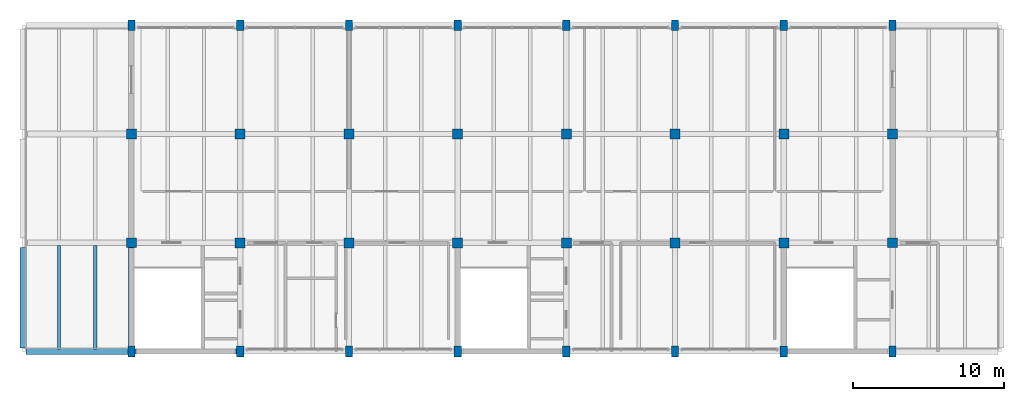
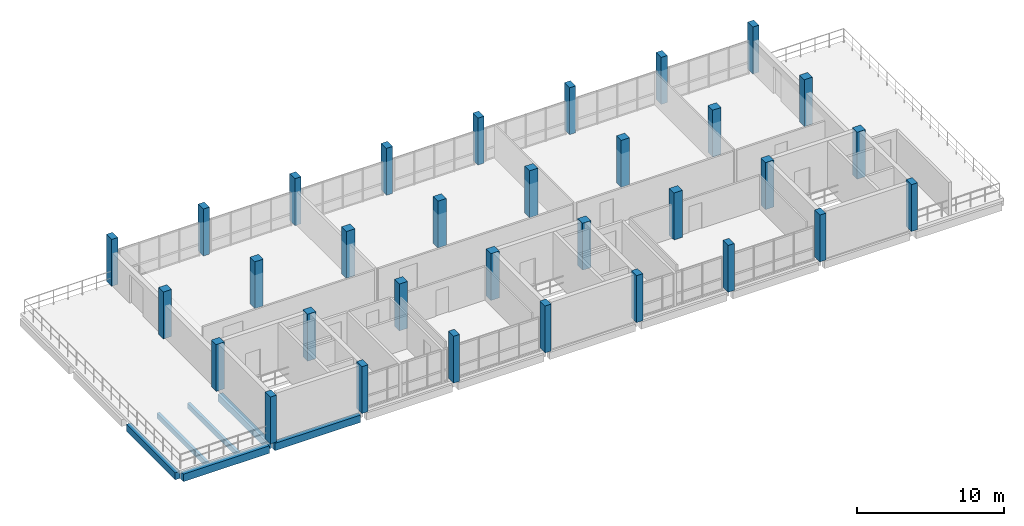
# One storey, part 1 of 10: 32 columns, 6 beams.
"""IFC4 building model written with IfcOpenShell, lengths in metres."""

from ifc_helpers import new_model, si_unit, direction, frame, origin, origin_2d, place, context, subcontext, project, spatial, rectangle, extrude, material, material_profile, profile_set, type_object, element, save


model = new_model("IFC4")

# Units and contexts
model_context = context("Model", 3, precision=1e-05, world=origin(), true_north=direction((0.0, 1.0)))
body_context = subcontext(model_context, "Body", "Model", "MODEL_VIEW")
ifc_project = project(units=[si_unit("LENGTHUNIT", "METRE"), si_unit("AREAUNIT", "SQUARE_METRE"), si_unit("VOLUMEUNIT", "CUBIC_METRE"), si_unit("PLANEANGLEUNIT", "RADIAN"), si_unit("MASSUNIT", "GRAM", prefix="KILO")], contexts=[model_context])

# Site, building, storey
site_placement = place(None, origin())
site = spatial("IfcSite", under=ifc_project, at=site_placement, CompositionType="ELEMENT")
building_placement = place(site_placement, origin())
building = spatial("IfcBuilding", under=site, at=building_placement, Name="Qiaolan Assembly House", CompositionType="ELEMENT")
storey_placement = place(building_placement, frame((0.0, 0.0, 30.300048828125)))
storey = spatial("IfcBuildingStorey", under=building, at=storey_placement, Name="L07", CompositionType="ELEMENT", Elevation=30.300048828125)

# Columns
ifc_material = material(Name="Concrete C40/50", Category="concrete")
ifc_material_profile_1 = material_profile(ifc_material, rectangle(XDim=0.64990234375, YDim=0.64990234375, at=origin_2d()), Name="RC 650x650")
ifc_profile_set_1 = profile_set([ifc_material_profile_1], Name="Concrete C40/50")
column_type_1 = type_object("IfcColumnType", Name="COL-RC-650", PredefinedType="COLUMN", material=ifc_profile_set_1)
for number, where, z_axis, x_axis, name in (
    (1, (43.199951171875, 100.800048828125, 0.0), (0.0, 0.0, 1.0), (1.0, 0.0, 0.0), "RC-08 column NW L07"),
    (2, (43.199951171875, 108.0, 0.0), (0.0, 0.0, 1.0), (1.0, 0.0, 0.0), "RC-08 column NW L07"),
    (3, (93.60009765625, 100.800048828125, 0.0), (0.0, 0.0, 1.0), (1.0, 0.0, 0.0), "RC-08 column NW L07"),
    (4, (93.60009765625, 108.0, 0.0), (0.0, 0.0, 1.0), (1.0, 0.0, 0.0), "RC-08 column NW L07"),
):
    element("IfcColumn", number, at=place(storey_placement, frame(where, z_axis=z_axis, x_axis=x_axis)), inside=storey, type_object=column_type_1, Name=name, PredefinedType="COLUMN", context=body_context, shape_type="SweptSolid", body=[
        extrude(rectangle(XDim=0.64990234375, YDim=0.64990234375, at=origin_2d()), origin(), (0.0, 0.0, 1.0), 3.89990234375),
    ])
ifc_material_profile_2 = material_profile(ifc_material, rectangle(XDim=0.659912109375, YDim=0.659912109375, at=origin_2d()), Name="RC 660x660")
ifc_profile_set_2 = profile_set([ifc_material_profile_2], Name="Concrete C40/50")
column_type_2 = type_object("IfcColumnType", Name="COL-RC-660", PredefinedType="COLUMN", material=ifc_profile_set_2)
for number, where, z_axis, x_axis, name in (
    (5, (50.39990234375, 100.800048828125, 0.0), (0.0, 0.0, 1.0), (1.0, 0.0, 0.0), "RC-22 column NW L07"),
    (6, (50.39990234375, 108.0, 0.0), (0.0, 0.0, 1.0), (1.0, 0.0, 0.0), "RC-22 column NW L07"),
    (7, (57.60009765625, 100.800048828125, 0.0), (0.0, 0.0, 1.0), (1.0, 0.0, 0.0), "RC-22 column NW L07"),
    (8, (57.60009765625, 108.0, 0.0), (0.0, 0.0, 1.0), (1.0, 0.0, 0.0), "RC-22 column NW L07"),
    (9, (64.800048828125, 100.800048828125, 0.0), (0.0, 0.0, 1.0), (1.0, 0.0, 0.0), "RC-22 column NW L07"),
    (10, (64.800048828125, 108.0, 0.0), (0.0, 0.0, 1.0), (1.0, 0.0, 0.0), "RC-22 column NW L07"),
    (11, (72.0, 100.800048828125, 0.0), (0.0, 0.0, 1.0), (1.0, 0.0, 0.0), "RC-22 column NW L07"),
    (12, (72.0, 108.0, 0.0), (0.0, 0.0, 1.0), (1.0, 0.0, 0.0), "RC-22 column NW L07"),
    (13, (79.199951171875, 100.800048828125, 0.0), (0.0, 0.0, 1.0), (1.0, 0.0, 0.0), "RC-22 column NW L07"),
    (14, (79.199951171875, 108.0, 0.0), (0.0, 0.0, 1.0), (1.0, 0.0, 0.0), "RC-22 column NW L07"),
    (15, (86.39990234375, 100.800048828125, 0.0), (0.0, 0.0, 1.0), (1.0, 0.0, 0.0), "RC-22 column NW L07"),
    (16, (86.39990234375, 108.0, 0.0), (0.0, 0.0, 1.0), (1.0, 0.0, 0.0), "RC-22 column NW L07"),
):
    element("IfcColumn", number, at=place(storey_placement, frame(where, z_axis=z_axis, x_axis=x_axis)), inside=storey, type_object=column_type_2, Name=name, PredefinedType="COLUMN", context=body_context, shape_type="SweptSolid", body=[
        extrude(rectangle(XDim=0.659912109375, YDim=0.659912109375, at=origin_2d()), origin(), (0.0, 0.0, 1.0), 3.89990234375),
    ])
ifc_material_profile_3 = material_profile(ifc_material, rectangle(XDim=0.47998046875, YDim=0.7099609375, at=origin_2d()), Name="RC 710x480")
ifc_profile_set_3 = profile_set([ifc_material_profile_3], Name="Concrete C40/50")
column_type_3 = type_object("IfcColumnType", Name="COL-RC-710x480", PredefinedType="COLUMN", material=ifc_profile_set_3)
for number, where, z_axis, x_axis, name in (
    (17, (43.199951171875, 93.60009765625, 0.0), (0.0, 0.0, 1.0), (1.0, 0.0, 0.0), "RC-19 column NW L07"),
    (18, (43.199951171875, 115.199951171875, 0.0), (0.0, 0.0, 1.0), (1.0, 0.0, 0.0), "RC-19 column NW L07"),
    (19, (50.39990234375, 93.60009765625, 0.0), (0.0, 0.0, 1.0), (1.0, 0.0, 0.0), "RC-19 column NW L07"),
    (20, (50.39990234375, 115.199951171875, 0.0), (0.0, 0.0, 1.0), (1.0, 0.0, 0.0), "RC-19 column NW L07"),
    (21, (57.60009765625, 93.60009765625, 0.0), (0.0, 0.0, 1.0), (1.0, 0.0, 0.0), "RC-19 column NW L07"),
    (22, (57.60009765625, 115.199951171875, 0.0), (0.0, 0.0, 1.0), (1.0, 0.0, 0.0), "RC-19 column NW L07"),
    (23, (64.800048828125, 93.60009765625, 0.0), (0.0, 0.0, 1.0), (1.0, 0.0, 0.0), "RC-19 column NW L07"),
    (24, (64.800048828125, 115.199951171875, 0.0), (0.0, 0.0, 1.0), (1.0, 0.0, 0.0), "RC-19 column NW L07"),
    (25, (72.0, 93.60009765625, 0.0), (0.0, 0.0, 1.0), (1.0, 0.0, 0.0), "RC-19 column NW L07"),
    (26, (72.0, 115.199951171875, 0.0), (0.0, 0.0, 1.0), (1.0, 0.0, 0.0), "RC-19 column NW L07"),
    (27, (79.199951171875, 93.60009765625, 0.0), (0.0, 0.0, 1.0), (1.0, 0.0, 0.0), "RC-19 column NW L07"),
    (28, (79.199951171875, 115.199951171875, 0.0), (0.0, 0.0, 1.0), (1.0, 0.0, 0.0), "RC-19 column NW L07"),
    (29, (86.39990234375, 93.60009765625, 0.0), (0.0, 0.0, 1.0), (1.0, 0.0, 0.0), "RC-19 column NW L07"),
    (30, (86.39990234375, 115.199951171875, 0.0), (0.0, 0.0, 1.0), (1.0, 0.0, 0.0), "RC-19 column NW L07"),
    (31, (93.60009765625, 93.60009765625, 0.0), (0.0, 0.0, 1.0), (1.0, 0.0, 0.0), "RC-19 column NW L07"),
    (32, (93.60009765625, 115.199951171875, 0.0), (0.0, 0.0, 1.0), (1.0, 0.0, 0.0), "RC-19 column NW L07"),
):
    element("IfcColumn", number, at=place(storey_placement, frame(where, z_axis=z_axis, x_axis=x_axis)), inside=storey, type_object=column_type_3, Name=name, PredefinedType="COLUMN", context=body_context, shape_type="SweptSolid", body=[
        extrude(rectangle(XDim=0.47998046875, YDim=0.7099609375, at=origin_2d()), origin(), (0.0, 0.0, 1.0), 3.89990234375),
    ])

# Beams
ifc_material_profile_4 = material_profile(ifc_material, rectangle(XDim=0.35009765625, YDim=0.60009765625, at=origin_2d()), Name="RCB 350x600")
ifc_profile_set_4 = profile_set([ifc_material_profile_4], Name="Concrete C40/50")
beam_type_1 = type_object("IfcBeamType", Name="BM-RC-350x600", PredefinedType="BEAM", material=ifc_profile_set_4)
beam_1_placement = place(storey_placement, frame((43.429931640625, 93.60009765625, -0.530029296875), z_axis=(1.0, 0.0, 0.0), x_axis=(0.0, 1.0, 0.0)))
element("IfcBeam", 33, at=beam_1_placement, inside=storey, type_object=beam_type_1, Name="GB-08 beam BMX-NW-L07-00-00", PredefinedType="BEAM", context=body_context, shape_type="SweptSolid", body=[
    extrude(rectangle(XDim=0.35009765625, YDim=0.60009765625, at=origin_2d()), origin(), (0.0, 0.0, 1.0), 6.739990234375),
])
ifc_material_profile_5 = material_profile(ifc_material, rectangle(XDim=0.360107421875, YDim=0.580078125, at=origin_2d()), Name="RCB 360x580")
ifc_profile_set_5 = profile_set([ifc_material_profile_5], Name="Concrete C40/50")
beam_type_2 = type_object("IfcBeamType", Name="BM-RC-360x580", PredefinedType="BEAM", material=ifc_profile_set_5)
for number, where, z_axis, x_axis, name in (
    (34, (36.0, 93.830078125, -0.550048828125), (0.0, 1.0, 0.0), (-1.0, 0.0, 0.0), "GB-16 beam BMY-NWTW-L07-00-00"),
    (35, (43.199951171875, 93.830078125, -0.550048828125), (0.0, 1.0, 0.0), (-1.0, 0.0, 0.0), "GB-16 beam BMY-NWTW-L07-01-00"),
):
    element("IfcBeam", number, at=place(storey_placement, frame(where, z_axis=z_axis, x_axis=x_axis)), inside=storey, type_object=beam_type_2, Name=name, PredefinedType="BEAM", context=body_context, shape_type="SweptSolid", body=[
        extrude(rectangle(XDim=0.360107421875, YDim=0.580078125, at=origin_2d()), origin(), (0.0, 0.0, 1.0), 6.655029296875),
    ])
ifc_material_profile_6 = material_profile(ifc_material, rectangle(XDim=0.3798828125, YDim=0.6201171875, at=origin_2d()), Name="RCB 380x620")
ifc_profile_set_6 = profile_set([ifc_material_profile_6], Name="Concrete C40/50")
beam_type_3 = type_object("IfcBeamType", Name="BM-RC-380x620", PredefinedType="BEAM", material=ifc_profile_set_6)
beam_2_placement = place(storey_placement, frame((36.22998046875, 93.60009765625, -0.570068359375), z_axis=(1.0, 0.0, 0.0), x_axis=(0.0, 1.0, 0.0)))
element("IfcBeam", 36, at=beam_2_placement, inside=storey, type_object=beam_type_3, Name="GB-13 beam BMX-NWTW-L07-00-00", PredefinedType="BEAM", context=body_context, shape_type="SweptSolid", body=[
    extrude(rectangle(XDim=0.3798828125, YDim=0.6201171875, at=origin_2d()), origin(), (0.0, 0.0, 1.0), 6.739990234375),
])
ifc_material_profile_7 = material_profile(ifc_material, rectangle(XDim=0.22509765625, YDim=0.425048828125, at=origin_2d()), Name="RCB 225x425")
ifc_profile_set_7 = profile_set([ifc_material_profile_7], Name="Concrete C40/50")
beam_type_4 = type_object("IfcBeamType", Name="JST-RC-225x425", PredefinedType="JOIST", material=ifc_profile_set_7)
for number, where, z_axis, x_axis, name in (
    (37, (38.39990234375, 93.783935546875, -0.47265625), (0.0, 1.0, 0.0), (-1.0, 0.0, 0.0), "RJ-06 beam JST-NWTW-L07-00-00-1"),
    (38, (40.800048828125, 93.783935546875, -0.47265625), (0.0, 1.0, 0.0), (-1.0, 0.0, 0.0), "RJ-06 beam JST-NWTW-L07-00-00-2"),
):
    element("IfcBeam", number, at=place(storey_placement, frame(where, z_axis=z_axis, x_axis=x_axis)), inside=storey, type_object=beam_type_4, Name=name, PredefinedType="JOIST", context=body_context, shape_type="SweptSolid", body=[
        extrude(rectangle(XDim=0.22509765625, YDim=0.425048828125, at=origin_2d()), origin(), (0.0, 0.0, 1.0), 6.83203125),
    ])

save(model, "model.ifc")
